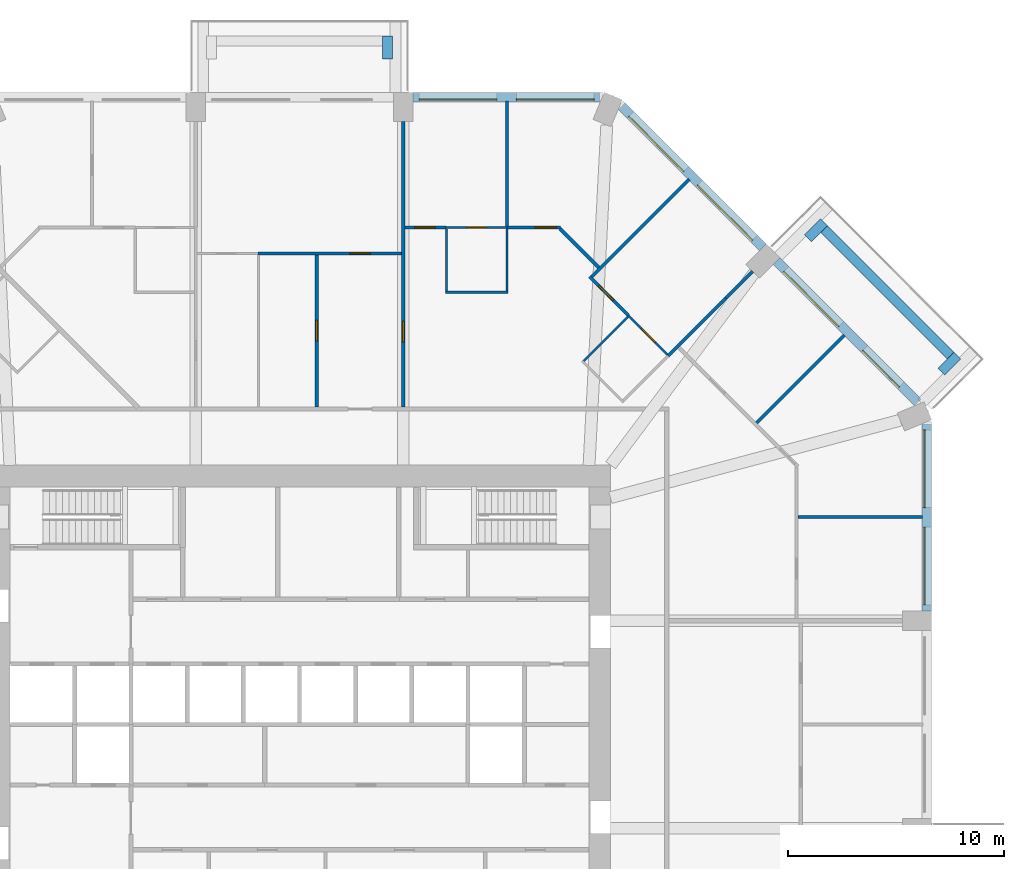
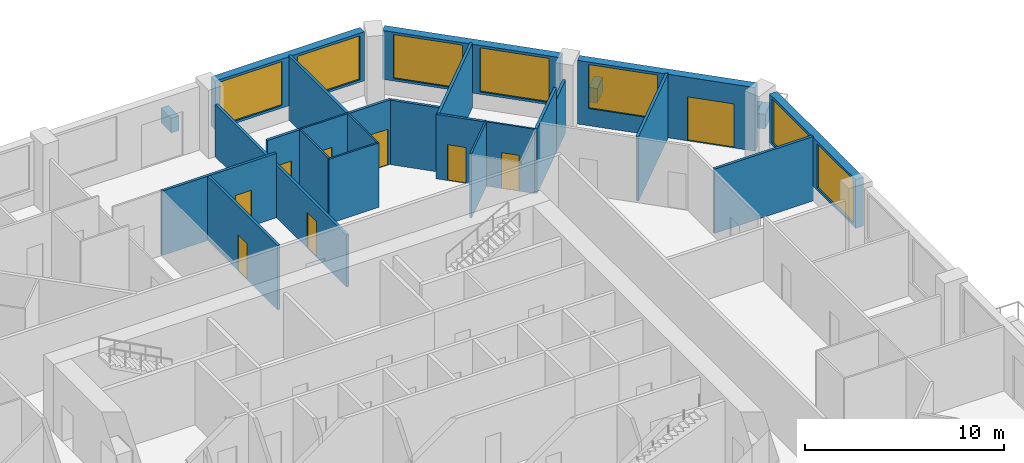
# One storey, part 10 of 13: 27 walls, 9 doors, 7 windows, 16 openings.
"""IFC4 building model written with IfcOpenShell, lengths in metres."""

from ifc_helpers import new_model, si_unit, direction, frame, frame_2d, origin, place, context, subcontext, project, spatial, rectangle, extrude, material, layer, layer_set, type_object, element, fill, save


model = new_model("IFC4")

# Units and contexts
model_context = context("Model", 3, precision=1e-05, world=origin(), true_north=direction((0.0, 1.0)))
body_context = subcontext(model_context, "Body", "Model", "MODEL_VIEW")
ifc_project = project(units=[si_unit("LENGTHUNIT", "METRE"), si_unit("AREAUNIT", "SQUARE_METRE"), si_unit("VOLUMEUNIT", "CUBIC_METRE"), si_unit("PLANEANGLEUNIT", "RADIAN"), si_unit("MASSUNIT", "GRAM", prefix="KILO")], contexts=[model_context])

# Site, building, storey
site_placement = place(None, origin())
site = spatial("IfcSite", under=ifc_project, at=site_placement, CompositionType="ELEMENT")
building_placement = place(site_placement, origin())
building = spatial("IfcBuilding", under=site, at=building_placement, Name="Msitu Wima Residences", CompositionType="ELEMENT")
storey_placement = place(building_placement, frame((0.0, 0.0, 88.5)))
storey = spatial("IfcBuildingStorey", under=building, at=storey_placement, Name="L20", CompositionType="ELEMENT", Elevation=88.5)

# Walls
ifc_material_1 = material(Name="Facing brick")
ifc_layer_1 = layer(ifc_material_1, 0.06494140625, Name="Facing brick")
ifc_material_2 = material(Name="Concrete C40/50", Category="concrete")
ifc_layer_2 = layer(ifc_material_2, 0.156005859375, Name="Concrete C40/50")
ifc_material_3 = material(Name="Waterproofing membrane")
ifc_layer_3 = layer(ifc_material_3, 0.00390625, Name="Waterproofing membrane")
ifc_material_4 = material(Name="Planting soil and planting")
ifc_layer_4 = layer(ifc_material_4, 0.22509765625, Name="Planting soil and planting")
ifc_layer_set_1 = layer_set([ifc_layer_1, ifc_layer_2, ifc_layer_3, ifc_layer_4], Name="Concrete C40/50")
wall_type_1 = type_object("IfcWallType", Name="Balcony planter PLANTER PL450", PredefinedType="USERDEFINED", material=ifc_layer_set_1)
wall_1_placement = place(storey_placement, frame((30.125732421875, 17.0693359375, 0.0), z_axis=(0.0, 0.0, 1.0), x_axis=(-0.707106781187, 0.707106781187, 0.0)))
element("IfcWall", 1, at=wall_1_placement, inside=storey, type_object=wall_type_1, Name="Balcony planter NE0 L20", ObjectType="PLANTER", PredefinedType="USERDEFINED", context=body_context, shape_type="SweptSolid", body=[
    extrude(rectangle(XDim=8.2822265625, YDim=0.449951171875, at=frame_2d((4.14111328125, 0.0))), origin(), (0.0, 0.0, 1.0), 0.89990234375),
])
for number, where, z_axis, x_axis, name in (
    (2, (29.70166015625, 16.326904296875, 0.0), (0.0, 0.0, 1.0), (0.707106781187, 0.707106781187, 0.0), "Balcony planter NE0 L20"),
    (3, (23.52685546875, 22.50146484375, 0.0), (0.0, 0.0, 1.0), (0.706990528533, 0.707223014731, 0.0), "Balcony planter NE0 L20"),
    (4, (4.074951171875, 30.800048828125, 0.0), (0.0, 0.0, 1.0), (0.0, 1.0, 0.0), "Balcony planter N1 L20"),
):
    element("IfcWall", number, at=place(storey_placement, frame(where, z_axis=z_axis, x_axis=x_axis)), inside=storey, type_object=wall_type_1, Name=name, ObjectType="PLANTER", PredefinedType="USERDEFINED", context=body_context, shape_type="SweptSolid", body=[
        extrude(rectangle(XDim=1.050048828125, YDim=0.449951171875, at=frame_2d((0.52490234375, 0.0))), origin(), (0.0, 0.0, 1.0), 0.89990234375),
    ])

# Wall, openings, windows
ifc_material_5 = material(Name="Brick (red buff mix)", Category="masonry")
ifc_layer_5 = layer(ifc_material_5, 0.449951171875)
ifc_layer_set_2 = layer_set([ifc_layer_5], Name="Brick (red buff mix)")
wall_type_2 = type_object("IfcWallType", Name="Brick infill wall BW450", PredefinedType="SOLIDWALL", material=ifc_layer_set_2)
wall_2_placement = place(storey_placement, frame((29.02490234375, 5.25, 0.89990234375), z_axis=(0.0, 0.0, 1.0), x_axis=(0.0, 1.0, 0.0)))
wall_2 = element("IfcWall", 5, at=wall_2_placement, inside=storey, type_object=wall_type_2, Name="Brick infill wall L20 E2", PredefinedType="SOLIDWALL", context=body_context, shape_type="SweptSolid", body=[
    extrude(rectangle(XDim=8.662841796875, YDim=0.449951171875, at=frame_2d((4.33154296875, 0.0))), origin(), (0.0, 0.0, 1.0), 3.0),
])
opening_1_placement = place(wall_2_placement, frame((0.281494140625, 0.0, 0.14990234375)))
opening_1 = element("IfcOpeningElement", 6, at=opening_1_placement, cuts=wall_2, Name="Opening W18-20.004", PredefinedType="OPENING", context=body_context, shape_type="SweptSolid", body=[
    extrude(rectangle(XDim=3.60009765625, YDim=2.699951171875, at=frame_2d((1.800048828125, 1.35009765625))), frame((0.0, 0.23486328125, 0.0), z_axis=(0.0, -1.0, 0.0), x_axis=(1.0, 0.0, 0.0)), (0.0, 0.0, 1.0), 0.469970703125),
])
opening_2_placement = place(wall_2_placement, frame((4.781494140625, 0.0, 0.14990234375)))
opening_2 = element("IfcOpeningElement", 7, at=opening_2_placement, cuts=wall_2, Name="Opening W18-20.005", PredefinedType="OPENING", context=body_context, shape_type="SweptSolid", body=[
    extrude(rectangle(XDim=3.60009765625, YDim=2.699951171875, at=frame_2d((1.800048828125, 1.35009765625))), frame((0.0, 0.23486328125, 0.0), z_axis=(0.0, -1.0, 0.0), x_axis=(1.0, 0.0, 0.0)), (0.0, 0.0, 1.0), 0.469970703125),
])
ifc_material_6 = material(Name="Anodised aluminium, bronze finish, clear low-emissivity double glazing", Category="aluminium")
window_type = type_object("IfcWindowType", Name="Window W3600x2700", PartitioningType="DOUBLE_PANEL_VERTICAL", PredefinedType="WINDOW", material=ifc_material_6)
window_1_placement = place(opening_1_placement, origin())
window_1 = element("IfcWindow", 8, at=window_1_placement, inside=storey, type_object=window_type, Name="Window L20 E2.1", OverallHeight=2.699951171875, OverallWidth=3.60009765625, PartitioningType="SINGLE_PANEL", PredefinedType="WINDOW", context=body_context, shape_type="SweptSolid", body=[
    extrude(rectangle(XDim=3.60009765625, YDim=2.699951171875, at=frame_2d((1.800048828125, 1.35009765625))), frame((0.0, 0.135009765625, 0.0), z_axis=(0.0, -1.0, 0.0), x_axis=(1.0, 0.0, 0.0)), (0.0, 0.0, 1.0), 0.06005859375),
])
fill(opening_1, window_1)
window_2_placement = place(opening_2_placement, origin())
window_2 = element("IfcWindow", 9, at=window_2_placement, inside=storey, type_object=window_type, Name="Window L20 E2.2", OverallHeight=2.699951171875, OverallWidth=3.60009765625, PartitioningType="SINGLE_PANEL", PredefinedType="WINDOW", context=body_context, shape_type="SweptSolid", body=[
    extrude(rectangle(XDim=3.60009765625, YDim=2.699951171875, at=frame_2d((1.800048828125, 1.35009765625))), frame((0.0, 0.135009765625, 0.0), z_axis=(0.0, -1.0, 0.0), x_axis=(1.0, 0.0, 0.0)), (0.0, 0.0, 1.0), 0.06005859375),
])
fill(opening_2, window_2)

# Wall, openings, door, window
wall_3_placement = place(storey_placement, frame((28.61474609375, 14.903564453125, 0.0), z_axis=(0.0, 0.0, 1.0), x_axis=(-0.707106781187, 0.707106781187, 0.0)))
wall_3 = element("IfcWall", 10, at=wall_3_placement, inside=storey, type_object=wall_type_2, Name="Brick infill wall L20 NE0", PredefinedType="SOLIDWALL", context=body_context, shape_type="SweptSolid", body=[
    extrude(rectangle(XDim=9.2451171875, YDim=0.449951171875, at=frame_2d((4.62255859375, 0.0))), origin(), (0.0, 0.0, 1.0), 3.89990234375),
])
opening_3_placement = place(wall_3_placement, frame((1.111328125, 0.0, 0.0)))
opening_3 = element("IfcOpeningElement", 11, at=opening_3_placement, cuts=wall_3, Name="Opening D18-20.003", PredefinedType="OPENING", context=body_context, shape_type="SweptSolid", body=[
    extrude(rectangle(XDim=2.39990234375, YDim=2.699951171875, at=frame_2d((1.199951171875, 1.35009765625))), frame((0.0, 0.23486328125, 0.0), z_axis=(0.0, -1.0, 0.0), x_axis=(1.0, 0.0, 0.0)), (0.0, 0.0, 1.0), 0.469970703125),
])
opening_4_placement = place(wall_3_placement, frame((5.072509765625, 0.0, 1.050048828125)))
opening_4 = element("IfcOpeningElement", 12, at=opening_4_placement, cuts=wall_3, Name="Opening W18-20.011", PredefinedType="OPENING", context=body_context, shape_type="SweptSolid", body=[
    extrude(rectangle(XDim=3.60009765625, YDim=2.699951171875, at=frame_2d((1.800048828125, 1.35009765625))), frame((0.0, 0.23486328125, 0.0), z_axis=(0.0, -1.0, 0.0), x_axis=(1.0, 0.0, 0.0)), (0.0, 0.0, 1.0), 0.469970703125),
])
door_type_1 = type_object("IfcDoorType", Name="Balcony door D2400x2700", OperationType="SLIDING_TO_LEFT", PredefinedType="DOOR", material=ifc_material_6)
door_1_placement = place(opening_3_placement, origin())
door_1 = element("IfcDoor", 13, at=door_1_placement, inside=storey, type_object=door_type_1, Name="Balcony door L20 NE0", OperationType="SINGLE_SWING_LEFT", OverallHeight=2.699951171875, OverallWidth=2.39990234375, PredefinedType="DOOR", context=body_context, shape_type="SweptSolid", body=[
    extrude(rectangle(XDim=2.39990234375, YDim=2.699951171875, at=frame_2d((1.199951171875, 1.35009765625))), frame((0.0, 0.1298828125, 0.0), z_axis=(0.0, -1.0, 0.0), x_axis=(1.0, 0.0, 0.0)), (0.0, 0.0, 1.0), 0.050048828125),
])
fill(opening_3, door_1)
window_3_placement = place(opening_4_placement, origin())
window_3 = element("IfcWindow", 14, at=window_3_placement, inside=storey, type_object=window_type, Name="Window L20 NE0.2", OverallHeight=2.699951171875, OverallWidth=3.60009765625, PartitioningType="SINGLE_PANEL", PredefinedType="WINDOW", context=body_context, shape_type="SweptSolid", body=[
    extrude(rectangle(XDim=3.60009765625, YDim=2.699951171875, at=frame_2d((1.800048828125, 1.35009765625))), frame((0.0, 0.135009765625, 0.0), z_axis=(0.0, -1.0, 0.0), x_axis=(1.0, 0.0, 0.0)), (0.0, 0.0, 1.0), 0.06005859375),
])
fill(opening_4, window_3)

# Wall, openings, windows
wall_4_placement = place(storey_placement, frame((21.44091796875, 22.077392578125, 0.89990234375), z_axis=(0.0, 0.0, 1.0), x_axis=(-0.707106781187, 0.707106781187, 0.0)))
wall_4 = element("IfcWall", 15, at=wall_4_placement, inside=storey, type_object=wall_type_2, Name="Brick infill wall L20 NE1", PredefinedType="SOLIDWALL", context=body_context, shape_type="SweptSolid", body=[
    extrude(rectangle(XDim=9.2451171875, YDim=0.449951171875, at=frame_2d((4.62255859375, 0.0))), origin(), (0.0, 0.0, 1.0), 3.0),
])
opening_5_placement = place(wall_4_placement, frame((0.572509765625, 0.0, 0.14990234375)))
opening_5 = element("IfcOpeningElement", 16, at=opening_5_placement, cuts=wall_4, Name="Opening W18-20.012", PredefinedType="OPENING", context=body_context, shape_type="SweptSolid", body=[
    extrude(rectangle(XDim=3.60009765625, YDim=2.699951171875, at=frame_2d((1.800048828125, 1.35009765625))), frame((0.0, 0.23486328125, 0.0), z_axis=(0.0, -1.0, 0.0), x_axis=(1.0, 0.0, 0.0)), (0.0, 0.0, 1.0), 0.469970703125),
])
opening_6_placement = place(wall_4_placement, frame((5.072509765625, 0.0, 0.14990234375)))
opening_6 = element("IfcOpeningElement", 17, at=opening_6_placement, cuts=wall_4, Name="Opening W18-20.013", PredefinedType="OPENING", context=body_context, shape_type="SweptSolid", body=[
    extrude(rectangle(XDim=3.60009765625, YDim=2.699951171875, at=frame_2d((1.800048828125, 1.35009765625))), frame((0.0, 0.23486328125, 0.0), z_axis=(0.0, -1.0, 0.0), x_axis=(1.0, 0.0, 0.0)), (0.0, 0.0, 1.0), 0.469970703125),
])
window_4_placement = place(opening_5_placement, origin())
window_4 = element("IfcWindow", 18, at=window_4_placement, inside=storey, type_object=window_type, Name="Window L20 NE1.1", OverallHeight=2.699951171875, OverallWidth=3.60009765625, PartitioningType="SINGLE_PANEL", PredefinedType="WINDOW", context=body_context, shape_type="SweptSolid", body=[
    extrude(rectangle(XDim=3.60009765625, YDim=2.699951171875, at=frame_2d((1.800048828125, 1.35009765625))), frame((0.0, 0.135009765625, 0.0), z_axis=(0.0, -1.0, 0.0), x_axis=(1.0, 0.0, 0.0)), (0.0, 0.0, 1.0), 0.06005859375),
])
fill(opening_5, window_4)
window_5_placement = place(opening_6_placement, origin())
window_5 = element("IfcWindow", 19, at=window_5_placement, inside=storey, type_object=window_type, Name="Window L20 NE1.2", OverallHeight=2.699951171875, OverallWidth=3.60009765625, PartitioningType="SINGLE_PANEL", PredefinedType="WINDOW", context=body_context, shape_type="SweptSolid", body=[
    extrude(rectangle(XDim=3.60009765625, YDim=2.699951171875, at=frame_2d((1.800048828125, 1.35009765625))), frame((0.0, 0.135009765625, 0.0), z_axis=(0.0, -1.0, 0.0), x_axis=(1.0, 0.0, 0.0)), (0.0, 0.0, 1.0), 0.06005859375),
])
fill(opening_6, window_5)

wall_5_placement = place(storey_placement, frame((13.912841796875, 29.02490234375, 0.89990234375), z_axis=(0.0, 0.0, 1.0), x_axis=(-1.0, 0.0, 0.0)))
wall_5 = element("IfcWall", 20, at=wall_5_placement, inside=storey, type_object=wall_type_2, Name="Brick infill wall L20 N0", PredefinedType="SOLIDWALL", context=body_context, shape_type="SweptSolid", body=[
    extrude(rectangle(XDim=8.662841796875, YDim=0.449951171875, at=frame_2d((4.33154296875, 0.0))), origin(), (0.0, 0.0, 1.0), 3.0),
])
opening_7_placement = place(wall_5_placement, frame((0.281494140625, 0.0, 0.14990234375)))
opening_7 = element("IfcOpeningElement", 21, at=opening_7_placement, cuts=wall_5, Name="Opening W18-20.006", PredefinedType="OPENING", context=body_context, shape_type="SweptSolid", body=[
    extrude(rectangle(XDim=3.60009765625, YDim=2.699951171875, at=frame_2d((1.800048828125, 1.35009765625))), frame((0.0, 0.23486328125, 0.0), z_axis=(0.0, -1.0, 0.0), x_axis=(1.0, 0.0, 0.0)), (0.0, 0.0, 1.0), 0.469970703125),
])
opening_8_placement = place(wall_5_placement, frame((4.781494140625, 0.0, 0.14990234375)))
opening_8 = element("IfcOpeningElement", 22, at=opening_8_placement, cuts=wall_5, Name="Opening W18-20.007", PredefinedType="OPENING", context=body_context, shape_type="SweptSolid", body=[
    extrude(rectangle(XDim=3.60009765625, YDim=2.699951171875, at=frame_2d((1.800048828125, 1.35009765625))), frame((0.0, 0.23486328125, 0.0), z_axis=(0.0, -1.0, 0.0), x_axis=(1.0, 0.0, 0.0)), (0.0, 0.0, 1.0), 0.469970703125),
])
window_6_placement = place(opening_7_placement, origin())
window_6 = element("IfcWindow", 23, at=window_6_placement, inside=storey, type_object=window_type, Name="Window L20 N0.1", OverallHeight=2.699951171875, OverallWidth=3.60009765625, PartitioningType="SINGLE_PANEL", PredefinedType="WINDOW", context=body_context, shape_type="SweptSolid", body=[
    extrude(rectangle(XDim=3.60009765625, YDim=2.699951171875, at=frame_2d((1.800048828125, 1.35009765625))), frame((0.0, 0.135009765625, 0.0), z_axis=(0.0, -1.0, 0.0), x_axis=(1.0, 0.0, 0.0)), (0.0, 0.0, 1.0), 0.06005859375),
])
fill(opening_7, window_6)
window_7_placement = place(opening_8_placement, origin())
window_7 = element("IfcWindow", 24, at=window_7_placement, inside=storey, type_object=window_type, Name="Window L20 N0.2", OverallHeight=2.699951171875, OverallWidth=3.60009765625, PartitioningType="SINGLE_PANEL", PredefinedType="WINDOW", context=body_context, shape_type="SweptSolid", body=[
    extrude(rectangle(XDim=3.60009765625, YDim=2.699951171875, at=frame_2d((1.800048828125, 1.35009765625))), frame((0.0, 0.135009765625, 0.0), z_axis=(0.0, -1.0, 0.0), x_axis=(1.0, 0.0, 0.0)), (0.0, 0.0, 1.0), 0.06005859375),
])
fill(opening_8, window_7)

# Wall, opening, door
ifc_material_7 = material(Name="Plaster")
ifc_layer_6 = layer(ifc_material_7, 0.011962890625, Name="Plaster")
ifc_material_8 = material(Name="Concrete blockwork", Category="masonry")
ifc_layer_7 = layer(ifc_material_8, 0.1259765625, Name="Concrete blockwork")
ifc_layer_8 = layer(ifc_material_7, 0.011962890625, Name="Plaster")
ifc_layer_set_3 = layer_set([ifc_layer_6, ifc_layer_7, ifc_layer_8], Name="Concrete blockwork")
wall_type_3 = type_object("IfcWallType", Name="Partition PW150", PredefinedType="PARTITIONING", material=ifc_layer_set_3)
wall_6_placement = place(storey_placement, frame((-1.919921875, 21.800048828125, 0.0), z_axis=(0.0, 0.0, 1.0), x_axis=(1.0, 0.0, 0.0)))
wall_6 = element("IfcWall", 25, at=wall_6_placement, inside=storey, type_object=wall_type_3, Name="Partition", PredefinedType="PARTITIONING", context=body_context, shape_type="SweptSolid", body=[
    extrude(rectangle(XDim=6.64501953125, YDim=0.14990234375, at=frame_2d((3.322509765625, 0.0))), origin(), (0.0, 0.0, 1.0), 3.949951171875),
])
opening_9_placement = place(wall_6_placement, frame((4.25, 0.0, 0.0)))
opening_9 = element("IfcOpeningElement", 26, at=opening_9_placement, cuts=wall_6, Name="Opening D18-20.048", PredefinedType="OPENING", context=body_context, shape_type="SweptSolid", body=[
    extrude(rectangle(XDim=0.949951171875, YDim=2.199951171875, at=frame_2d((0.47509765625, 1.10009765625))), frame((0.0, 0.0849609375, 0.0), z_axis=(0.0, -1.0, 0.0), x_axis=(1.0, 0.0, 0.0)), (0.0, 0.0, 1.0), 0.169921875),
])
ifc_material_9 = material(Name="Timber flush door", Category="wood")
door_type_2 = type_object("IfcDoorType", Name="Room door D12 950x2200", OperationType="SINGLE_SWING_LEFT", PredefinedType="DOOR", material=ifc_material_9)
door_2_placement = place(opening_9_placement, origin())
door_2 = element("IfcDoor", 27, at=door_2_placement, inside=storey, type_object=door_type_2, Name="Room door", OperationType="SINGLE_SWING_RIGHT", OverallHeight=2.199951171875, OverallWidth=0.949951171875, PredefinedType="DOOR", context=body_context, shape_type="SweptSolid", body=[
    extrude(rectangle(XDim=0.949951171875, YDim=2.199951171875, at=frame_2d((0.47509765625, 1.10009765625))), frame((0.0, 0.02490234375, 0.0), z_axis=(0.0, -1.0, 0.0), x_axis=(1.0, 0.0, 0.0)), (0.0, 0.0, 1.0), 0.050048828125),
])
fill(opening_9, door_2)

wall_7_placement = place(storey_placement, frame((0.800048828125, 14.699951171875, 0.0), z_axis=(0.0, 0.0, 1.0), x_axis=(0.0, 1.0, 0.0)))
wall_7 = element("IfcWall", 28, at=wall_7_placement, inside=storey, type_object=wall_type_3, Name="Partition", PredefinedType="PARTITIONING", context=body_context, shape_type="SweptSolid", body=[
    extrude(rectangle(XDim=7.025146484375, YDim=0.14990234375, at=frame_2d((3.5126953125, 0.0))), origin(), (0.0, 0.0, 1.0), 3.949951171875),
])
opening_10_placement = place(wall_7_placement, frame((3.050048828125, 0.0, 0.0)))
opening_10 = element("IfcOpeningElement", 29, at=opening_10_placement, cuts=wall_7, Name="Opening D18-20.085", PredefinedType="OPENING", context=body_context, shape_type="SweptSolid", body=[
    extrude(rectangle(XDim=0.949951171875, YDim=2.199951171875, at=frame_2d((0.47509765625, 1.10009765625))), frame((0.0, 0.0849609375, 0.0), z_axis=(0.0, -1.0, 0.0), x_axis=(1.0, 0.0, 0.0)), (0.0, 0.0, 1.0), 0.169921875),
])
door_3_placement = place(opening_10_placement, origin())
door_3 = element("IfcDoor", 30, at=door_3_placement, inside=storey, type_object=door_type_2, Name="Room door", OperationType="SINGLE_SWING_RIGHT", OverallHeight=2.199951171875, OverallWidth=0.949951171875, PredefinedType="DOOR", context=body_context, shape_type="SweptSolid", body=[
    extrude(rectangle(XDim=0.949951171875, YDim=2.199951171875, at=frame_2d((0.47509765625, 1.10009765625))), frame((0.0, 0.02490234375, 0.0), z_axis=(0.0, -1.0, 0.0), x_axis=(1.0, 0.0, 0.0)), (0.0, 0.0, 1.0), 0.050048828125),
])
fill(opening_10, door_3)

wall_8_placement = place(storey_placement, frame((4.800048828125, 14.699951171875, 0.0), z_axis=(0.0, 0.0, 1.0), x_axis=(0.0, 1.0, 0.0)))
wall_8 = element("IfcWall", 31, at=wall_8_placement, inside=storey, type_object=wall_type_3, Name="Partition", PredefinedType="PARTITIONING", context=body_context, shape_type="SweptSolid", body=[
    extrude(rectangle(XDim=13.199951171875, YDim=0.14990234375, at=frame_2d((6.60009765625, 0.0))), origin(), (0.0, 0.0, 1.0), 3.199951171875),
])
opening_11_placement = place(wall_8_placement, frame((3.0, 0.0, 0.0)))
opening_11 = element("IfcOpeningElement", 32, at=opening_11_placement, cuts=wall_8, Name="Opening D18-20.037", PredefinedType="OPENING", context=body_context, shape_type="SweptSolid", body=[
    extrude(rectangle(XDim=0.949951171875, YDim=2.199951171875, at=frame_2d((0.47509765625, 1.10009765625))), frame((0.0, 0.0849609375, 0.0), z_axis=(0.0, -1.0, 0.0), x_axis=(1.0, 0.0, 0.0)), (0.0, 0.0, 1.0), 0.169921875),
])
door_4_placement = place(opening_11_placement, origin())
door_4 = element("IfcDoor", 33, at=door_4_placement, inside=storey, type_object=door_type_2, Name="Room door", OperationType="SINGLE_SWING_RIGHT", OverallHeight=2.199951171875, OverallWidth=0.949951171875, PredefinedType="DOOR", context=body_context, shape_type="SweptSolid", body=[
    extrude(rectangle(XDim=0.949951171875, YDim=2.199951171875, at=frame_2d((0.47509765625, 1.10009765625))), frame((0.0, 0.02490234375, 0.0), z_axis=(0.0, -1.0, 0.0), x_axis=(1.0, 0.0, 0.0)), (0.0, 0.0, 1.0), 0.050048828125),
])
fill(opening_11, door_4)

wall_9_placement = place(storey_placement, frame((4.875, 23.0, 0.0), z_axis=(0.0, 0.0, 1.0), x_axis=(1.0, 0.0, 0.0)))
wall_9 = element("IfcWall", 34, at=wall_9_placement, inside=storey, type_object=wall_type_3, Name="Partition", PredefinedType="PARTITIONING", context=body_context, shape_type="SweptSolid", body=[
    extrude(rectangle(XDim=1.905029296875, YDim=0.14990234375, at=frame_2d((0.95263671875, 0.0))), origin(), (0.0, 0.0, 1.0), 3.949951171875),
])
opening_12_placement = place(wall_9_placement, frame((0.449951171875, 0.0, 0.0)))
opening_12 = element("IfcOpeningElement", 35, at=opening_12_placement, cuts=wall_9, Name="Opening D18-20.081", PredefinedType="OPENING", context=body_context, shape_type="SweptSolid", body=[
    extrude(rectangle(XDim=0.949951171875, YDim=2.199951171875, at=frame_2d((0.47509765625, 1.10009765625))), frame((0.0, 0.0849609375, 0.0), z_axis=(0.0, -1.0, 0.0), x_axis=(1.0, 0.0, 0.0)), (0.0, 0.0, 1.0), 0.169921875),
])
door_5_placement = place(opening_12_placement, origin())
door_5 = element("IfcDoor", 36, at=door_5_placement, inside=storey, type_object=door_type_2, Name="Room door", OperationType="SINGLE_SWING_LEFT", OverallHeight=2.199951171875, OverallWidth=0.949951171875, PredefinedType="DOOR", context=body_context, shape_type="SweptSolid", body=[
    extrude(rectangle(XDim=0.949951171875, YDim=2.199951171875, at=frame_2d((0.47509765625, 1.10009765625))), frame((0.0, 0.02490234375, 0.0), z_axis=(0.0, -1.0, 0.0), x_axis=(1.0, 0.0, 0.0)), (0.0, 0.0, 1.0), 0.050048828125),
])
fill(opening_12, door_5)

# Wall
wall_10_placement = place(storey_placement, frame((9.60009765625, 22.97998046875, 0.0), z_axis=(0.0, 0.0, 1.0), x_axis=(0.0, 1.0, 0.0)))
element("IfcWall", 37, at=wall_10_placement, inside=storey, type_object=wall_type_3, Name="Partition", PredefinedType="PARTITIONING", context=body_context, shape_type="SweptSolid", body=[
    extrude(rectangle(XDim=5.875, YDim=0.14990234375, at=frame_2d((2.9375, 0.0))), origin(), (0.0, 0.0, 1.0), 3.949951171875),
])

# Wall, opening, door
wall_11_placement = place(storey_placement, frame((9.6201171875, 23.0, 0.0), z_axis=(0.0, 0.0, 1.0), x_axis=(1.0, 0.0, 0.0)))
wall_11 = element("IfcWall", 38, at=wall_11_placement, inside=storey, type_object=wall_type_3, Name="Partition", PredefinedType="PARTITIONING", context=body_context, shape_type="SweptSolid", body=[
    extrude(rectangle(XDim=2.452392578125, YDim=0.14990234375, at=frame_2d((1.22607421875, 0.0))), origin(), (0.0, 0.0, 1.0), 3.949951171875),
])
opening_13_placement = place(wall_11_placement, frame((1.300048828125, 0.0, 0.0)))
opening_13 = element("IfcOpeningElement", 39, at=opening_13_placement, cuts=wall_11, Name="Opening D18-20.039", PredefinedType="OPENING", context=body_context, shape_type="SweptSolid", body=[
    extrude(rectangle(XDim=0.949951171875, YDim=2.199951171875, at=frame_2d((0.47509765625, 1.10009765625))), frame((0.0, 0.0849609375, 0.0), z_axis=(0.0, -1.0, 0.0), x_axis=(1.0, 0.0, 0.0)), (0.0, 0.0, 1.0), 0.169921875),
])
door_6_placement = place(opening_13_placement, origin())
door_6 = element("IfcDoor", 40, at=door_6_placement, inside=storey, type_object=door_type_2, Name="Room door", OperationType="SINGLE_SWING_LEFT", OverallHeight=2.199951171875, OverallWidth=0.949951171875, PredefinedType="DOOR", context=body_context, shape_type="SweptSolid", body=[
    extrude(rectangle(XDim=0.949951171875, YDim=2.199951171875, at=frame_2d((0.47509765625, 1.10009765625))), frame((0.0, 0.02490234375, 0.0), z_axis=(0.0, -1.0, 0.0), x_axis=(1.0, 0.0, 0.0)), (0.0, 0.0, 1.0), 0.050048828125),
])
fill(opening_13, door_6)

# Wall
wall_12_placement = place(storey_placement, frame((12.050537109375, 22.947021484375, 0.0), z_axis=(0.0, 0.0, 1.0), x_axis=(0.707106781187, -0.707106781187, 0.0)))
element("IfcWall", 41, at=wall_12_placement, inside=storey, type_object=wall_type_3, Name="Partition", PredefinedType="PARTITIONING", context=body_context, shape_type="SweptSolid", body=[
    extrude(rectangle(XDim=2.538818359375, YDim=0.14990234375, at=frame_2d((1.26953125, 0.0))), origin(), (0.0, 0.0, 1.0), 3.949951171875),
])

# Wall, opening, door
wall_13_placement = place(storey_placement, frame((13.42138671875, 20.7275390625, 0.0), z_axis=(0.0, 0.0, 1.0), x_axis=(0.707154722254, -0.707058836868, 0.0)))
wall_13 = element("IfcWall", 42, at=wall_13_placement, inside=storey, type_object=wall_type_3, Name="Partition", PredefinedType="PARTITIONING", context=body_context, shape_type="SweptSolid", body=[
    extrude(rectangle(XDim=2.546142578125, YDim=0.14990234375, at=frame_2d((1.27294921875, 0.0))), origin(), (0.0, 0.0, 1.0), 3.949951171875),
])
opening_14_placement = place(wall_13_placement, frame((0.60009765625, 0.0, 0.0)))
opening_14 = element("IfcOpeningElement", 43, at=opening_14_placement, cuts=wall_13, Name="Opening D18-20.086", PredefinedType="OPENING", context=body_context, shape_type="SweptSolid", body=[
    extrude(rectangle(XDim=0.949951171875, YDim=2.199951171875, at=frame_2d((0.47509765625, 1.10009765625))), frame((0.0, 0.0849609375, 0.0), z_axis=(0.0, -1.0, 0.0), x_axis=(1.0, 0.0, 0.0)), (0.0, 0.0, 1.0), 0.169921875),
])
door_7_placement = place(opening_14_placement, origin())
door_7 = element("IfcDoor", 44, at=door_7_placement, inside=storey, type_object=door_type_2, Name="Room door", OperationType="SINGLE_SWING_LEFT", OverallHeight=2.199951171875, OverallWidth=0.949951171875, PredefinedType="DOOR", context=body_context, shape_type="SweptSolid", body=[
    extrude(rectangle(XDim=0.949951171875, YDim=2.199951171875, at=frame_2d((0.47509765625, 1.10009765625))), frame((0.0, 0.02490234375, 0.0), z_axis=(0.0, -1.0, 0.0), x_axis=(1.0, 0.0, 0.0)), (0.0, 0.0, 1.0), 0.050048828125),
])
fill(opening_14, door_7)

# Walls
wall_14_placement = place(storey_placement, frame((13.527587890625, 20.7275390625, 0.0), z_axis=(0.0, 0.0, 1.0), x_axis=(0.707106781187, 0.707106781187, 0.0)))
element("IfcWall", 45, at=wall_14_placement, inside=storey, type_object=wall_type_3, Name="Partition", PredefinedType="PARTITIONING", context=body_context, shape_type="SweptSolid", body=[
    extrude(rectangle(XDim=6.3798828125, YDim=0.14990234375, at=frame_2d((3.18994140625, 0.0))), origin(), (0.0, 0.0, 1.0), 3.949951171875),
])
wall_15_placement = place(storey_placement, frame((17.060302734375, 17.060302734375, 0.0), z_axis=(0.0, 0.0, 1.0), x_axis=(0.707106781187, 0.707106781187, 0.0)))
element("IfcWall", 46, at=wall_15_placement, inside=storey, type_object=wall_type_3, Name="Partition", PredefinedType="PARTITIONING", context=body_context, shape_type="SweptSolid", body=[
    extrude(rectangle(XDim=3.771728515625, YDim=0.14990234375, at=frame_2d((1.8857421875, 0.0))), origin(), (0.0, 0.0, 1.0), 3.949951171875),
])
wall_16_placement = place(storey_placement, frame((19.727294921875, 19.727294921875, 0.0), z_axis=(0.0, 0.0, 1.0), x_axis=(0.707106781187, 0.707106781187, 0.0)))
element("IfcWall", 47, at=wall_16_placement, inside=storey, type_object=wall_type_3, Name="Partition", PredefinedType="PARTITIONING", context=body_context, shape_type="SweptSolid", body=[
    extrude(rectangle(XDim=1.74853515625, YDim=0.14990234375, at=frame_2d((0.874267578125, 0.0))), origin(), (0.0, 0.0, 1.0), 3.25),
])
for number, where, z_axis, x_axis, name in (
    (48, (21.15185546875, 13.951904296875, 0.0), (0.0, 0.0, 1.0), (0.707128010843, 0.707085550893, 0.0), "Partition"),
    (49, (23.074951171875, 9.60009765625, 0.0), (0.0, 0.0, 1.0), (1.0, 0.0, 0.0), "Partition"),
):
    element("IfcWall", number, at=place(storey_placement, frame(where, z_axis=z_axis, x_axis=x_axis)), inside=storey, type_object=wall_type_3, Name=name, PredefinedType="PARTITIONING", context=body_context, shape_type="SweptSolid", body=[
        extrude(rectangle(XDim=5.75, YDim=0.14990234375, at=frame_2d((2.875, 0.0))), origin(), (0.0, 0.0, 1.0), 3.949951171875),
    ])

# Wall, opening, door
ifc_material_10 = material(Name="Ceramic tiles")
ifc_layer_9 = layer(ifc_material_10, 0.008056640625, Name="Ceramic tiles")
ifc_material_11 = material(Name="Moisture-resistant board")
ifc_layer_10 = layer(ifc_material_11, 0.012451171875, Name="Moisture-resistant board")
ifc_material_12 = material(Name="Light-gauge stud framing with mineral wool")
ifc_layer_11 = layer(ifc_material_12, 0.06689453125, Name="Light-gauge stud framing with mineral wool")
ifc_layer_12 = layer(ifc_material_11, 0.012451171875, Name="Moisture-resistant board")
ifc_layer_set_4 = layer_set([ifc_layer_9, ifc_layer_10, ifc_layer_11, ifc_layer_12], Name="Light-gauge stud framing with mineral wool")
wall_type_4 = type_object("IfcWallType", Name="Wet wall PW100", PredefinedType="PARTITIONING", material=ifc_layer_set_4)
wall_17_placement = place(storey_placement, frame((6.780029296875, 23.0, 0.0), z_axis=(0.0, 0.0, 1.0), x_axis=(1.0, 0.0, 0.0)))
wall_17 = element("IfcWall", 50, at=wall_17_placement, inside=storey, type_object=wall_type_4, Name="Wet wall", PredefinedType="PARTITIONING", context=body_context, shape_type="SweptSolid", body=[
    extrude(rectangle(XDim=2.840087890625, YDim=0.10009765625, at=frame_2d((1.419921875, 0.0))), origin(), (0.0, 0.0, 1.0), 3.949951171875),
])
opening_15_placement = place(wall_17_placement, frame((0.949951171875, 0.0, 0.0)))
opening_15 = element("IfcOpeningElement", 51, at=opening_15_placement, cuts=wall_17, Name="Opening D18-20.084", PredefinedType="OPENING", context=body_context, shape_type="SweptSolid", body=[
    extrude(rectangle(XDim=0.89990234375, YDim=2.199951171875, at=frame_2d((0.449951171875, 1.10009765625))), frame((0.0, 0.06005859375, 0.0), z_axis=(0.0, -1.0, 0.0), x_axis=(1.0, 0.0, 0.0)), (0.0, 0.0, 1.0), 0.1201171875),
])
ifc_material_13 = material(Name="Timber flush door, moisture resistant", Category="wood")
door_type_3 = type_object("IfcDoorType", Name="Bathroom door D03 900x2200", OperationType="SINGLE_SWING_LEFT", PredefinedType="DOOR", material=ifc_material_13)
door_8_placement = place(opening_15_placement, origin())
door_8 = element("IfcDoor", 52, at=door_8_placement, inside=storey, type_object=door_type_3, Name="Bathroom door", OperationType="SINGLE_SWING_RIGHT", OverallHeight=2.199951171875, OverallWidth=0.89990234375, PredefinedType="DOOR", context=body_context, shape_type="SweptSolid", body=[
    extrude(rectangle(XDim=0.89990234375, YDim=2.199951171875, at=frame_2d((0.449951171875, 1.10009765625))), frame((0.0, 0.02490234375, 0.0), z_axis=(0.0, -1.0, 0.0), x_axis=(1.0, 0.0, 0.0)), (0.0, 0.0, 1.0), 0.050048828125),
])
fill(opening_15, door_8)

# Walls
wall_18_placement = place(storey_placement, frame((6.800048828125, 20.050048828125, 0.0), z_axis=(0.0, 0.0, 1.0), x_axis=(0.0, 1.0, 0.0)))
element("IfcWall", 53, at=wall_18_placement, inside=storey, type_object=wall_type_4, Name="Wet wall", PredefinedType="PARTITIONING", context=body_context, shape_type="SweptSolid", body=[
    extrude(rectangle(XDim=2.875, YDim=0.10009765625, at=frame_2d((1.4375, 0.0))), origin(), (0.0, 0.0, 1.0), 3.949951171875),
])
wall_19_placement = place(storey_placement, frame((6.75, 20.0, 0.0), z_axis=(0.0, 0.0, 1.0), x_axis=(1.0, 0.0, 0.0)))
element("IfcWall", 54, at=wall_19_placement, inside=storey, type_object=wall_type_4, Name="Wet wall", PredefinedType="PARTITIONING", context=body_context, shape_type="SweptSolid", body=[
    extrude(rectangle(XDim=2.89990234375, YDim=0.10009765625, at=frame_2d((1.449951171875, 0.0))), origin(), (0.0, 0.0, 1.0), 3.949951171875),
])
wall_20_placement = place(storey_placement, frame((9.60009765625, 20.050048828125, 0.0), z_axis=(0.0, 0.0, 1.0), x_axis=(0.0, 1.0, 0.0)))
element("IfcWall", 55, at=wall_20_placement, inside=storey, type_object=wall_type_4, Name="Wet wall", PredefinedType="PARTITIONING", context=body_context, shape_type="SweptSolid", body=[
    extrude(rectangle(XDim=2.929931640625, YDim=0.10009765625, at=frame_2d((1.46484375, 0.0))), origin(), (0.0, 0.0, 1.0), 3.949951171875),
])
wall_21_placement = place(storey_placement, frame((13.150146484375, 16.8271484375, 0.0), z_axis=(0.0, 0.0, 1.0), x_axis=(0.707106781187, 0.707106781187, 0.0)))
element("IfcWall", 56, at=wall_21_placement, inside=storey, type_object=wall_type_4, Name="Wet wall", PredefinedType="PARTITIONING", context=body_context, shape_type="SweptSolid", body=[
    extrude(rectangle(XDim=2.89990234375, YDim=0.10009765625, at=frame_2d((1.449951171875, 0.0))), origin(), (0.0, 0.0, 1.0), 3.949951171875),
])

# Wall, opening, door
wall_22_placement = place(storey_placement, frame((15.221923828125, 18.92724609375, 0.0), z_axis=(0.0, 0.0, 1.0), x_axis=(0.707059281319, -0.707154277864, 0.0)))
wall_22 = element("IfcWall", 57, at=wall_22_placement, inside=storey, type_object=wall_type_4, Name="Wet wall", PredefinedType="PARTITIONING", context=body_context, shape_type="SweptSolid", body=[
    extrude(rectangle(XDim=2.570068359375, YDim=0.10009765625, at=frame_2d((1.28515625, 0.0))), origin(), (0.0, 0.0, 1.0), 3.949951171875),
])
opening_16_placement = place(wall_22_placement, frame((0.85009765625, 0.0, 0.0)))
opening_16 = element("IfcOpeningElement", 58, at=opening_16_placement, cuts=wall_22, Name="Opening D18-20.087", PredefinedType="OPENING", context=body_context, shape_type="SweptSolid", body=[
    extrude(rectangle(XDim=0.89990234375, YDim=2.199951171875, at=frame_2d((0.449951171875, 1.10009765625))), frame((0.0, 0.06005859375, 0.0), z_axis=(0.0, -1.0, 0.0), x_axis=(1.0, 0.0, 0.0)), (0.0, 0.0, 1.0), 0.1201171875),
])
door_9_placement = place(opening_16_placement, origin())
door_9 = element("IfcDoor", 59, at=door_9_placement, inside=storey, type_object=door_type_3, Name="Bathroom door", OperationType="SINGLE_SWING_RIGHT", OverallHeight=2.199951171875, OverallWidth=0.89990234375, PredefinedType="DOOR", context=body_context, shape_type="SweptSolid", body=[
    extrude(rectangle(XDim=0.89990234375, YDim=2.199951171875, at=frame_2d((0.449951171875, 1.10009765625))), frame((0.0, 0.02490234375, 0.0), z_axis=(0.0, -1.0, 0.0), x_axis=(1.0, 0.0, 0.0)), (0.0, 0.0, 1.0), 0.050048828125),
])
fill(opening_16, door_9)

save(model, "model.ifc")
